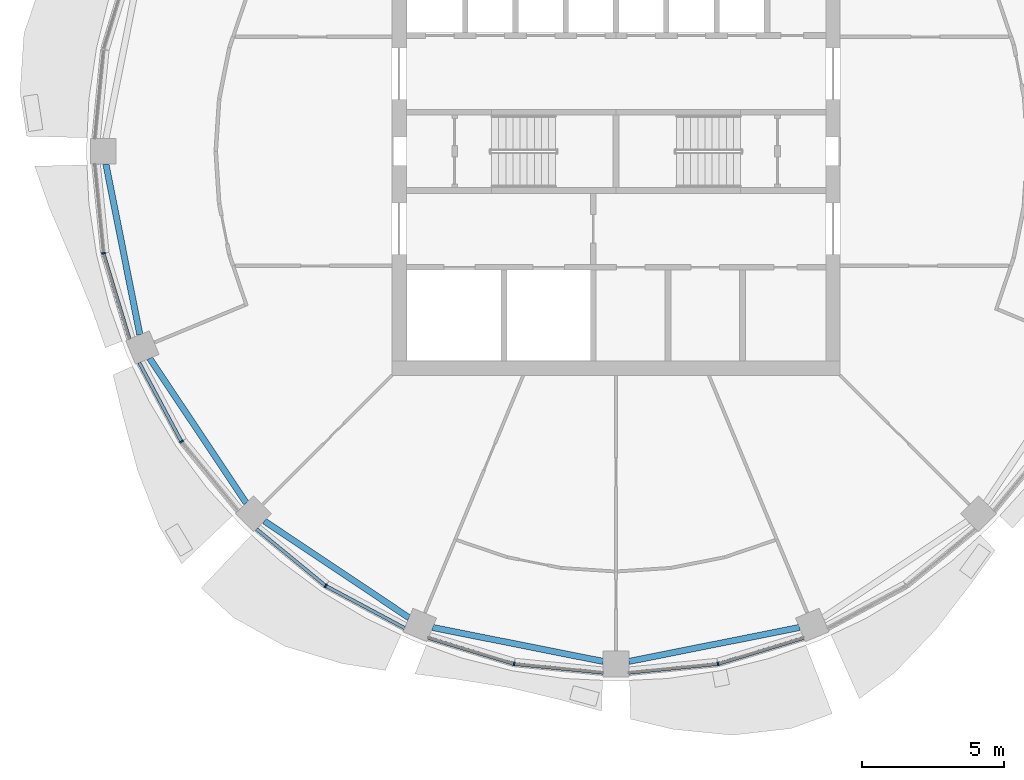
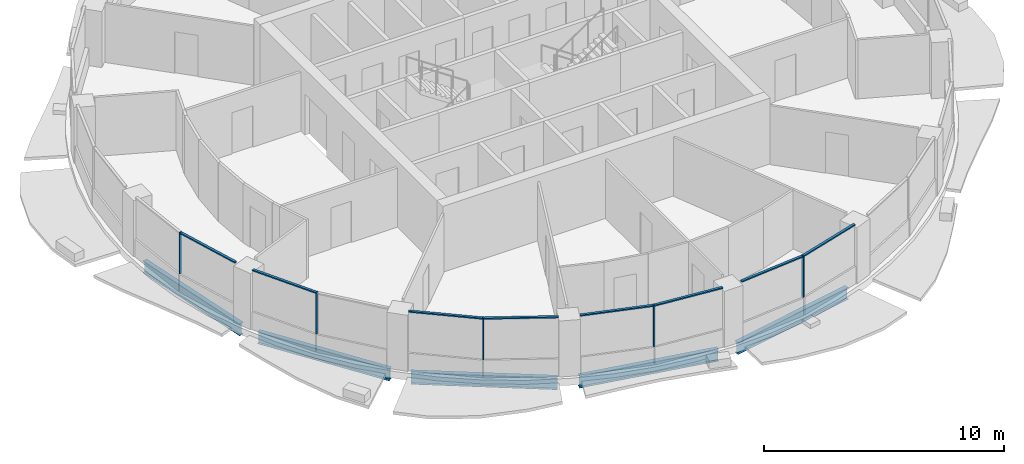
# One storey, part 2 of 15: 13 members, 5 beams, 5 elements without a shape of their own.
"""IFC4 building model written with IfcOpenShell, lengths in metres."""

import ifcopenshell
import ifcopenshell.guid

model = None  # the IFC model being written
_history = None  # IfcOwnerHistory: only IFC2X3 demands one
_inside = {}  # id of a spatial element -> (the spatial element, [elements in it])
_under = {}  # id of a project, library or spatial element -> (it, [spatial elements below it])
_declared = {}  # id of a project -> (the project, [libraries it declares])
_typed = {}  # id of a type object -> (the type object, [elements of that type])
_made_of = {}  # id of a material, layer set ... -> (it, [elements and type objects made of it])


def new_model(schema):
    """Start an empty IFC model of exactly this schema.

    Asked for "IFC4X3", IfcOpenShell would pick the latest addendum, in which some entities
    have other attributes; the version numbers below select the first issue.
    IFC2X3 requires an IfcOwnerHistory on every rooted entity: one is made here for all.
    """
    global model, _history
    if schema == "IFC4X3":
        model = ifcopenshell.file(schema_version=(4, 3, 0, 0))
    else:
        model = ifcopenshell.file(schema=schema)
    _inside.clear()
    _under.clear()
    _declared.clear()
    _typed.clear()
    _made_of.clear()
    _history = None
    if model.schema == "IFC2X3":
        org = make("IfcOrganization", Name="unknown")
        user = make(
            "IfcPersonAndOrganization",
            ThePerson=make("IfcPerson", FamilyName="unknown"),
            TheOrganization=org,
        )
        app = make(
            "IfcApplication",
            ApplicationDeveloper=org,
            Version="unknown",
            ApplicationFullName="unknown",
            ApplicationIdentifier="unknown",
        )
        _history = make(
            "IfcOwnerHistory",
            OwningUser=user,
            OwningApplication=app,
            ChangeAction="ADDED",
            CreationDate=0,
        )
    return model


def make(cls, **values):
    """One entity of the class cls with the attributes given. An attribute that is None is left unset."""
    return model.create_entity(
        cls, **{name: value for name, value in values.items() if value is not None}
    )


def rooted(cls, **values):
    """An entity with a GlobalId (a new one), such as an element, a storey or a relation."""
    return make(cls, GlobalId=ifcopenshell.guid.new(), OwnerHistory=_history, **values)


def si_unit(unit_type, name, prefix=None):
    """IfcSIUnit, for example si_unit("LENGTHUNIT", "METRE", prefix="MILLI")."""
    return make("IfcSIUnit", UnitType=unit_type, Prefix=prefix, Name=name)


def assignment(units):
    """IfcUnitAssignment: the units of a project."""
    return None if units is None else make("IfcUnitAssignment", Units=units)


def point(xyz):
    """IfcCartesianPoint."""
    return None if xyz is None else make("IfcCartesianPoint", Coordinates=xyz)


def direction(xyz):
    """IfcDirection."""
    return None if xyz is None else make("IfcDirection", DirectionRatios=xyz)


def frame(location, z_axis=None, x_axis=None):
    """IfcAxis2Placement3D, a coordinate frame: its origin and axes. An axis left out is left unset."""
    return make(
        "IfcAxis2Placement3D",
        Location=point(location),
        Axis=direction(z_axis),
        RefDirection=direction(x_axis),
    )


def frame_2d(location, x_axis=None):
    """IfcAxis2Placement2D, a coordinate frame in the plane: its origin and x axis."""
    return make(
        "IfcAxis2Placement2D", Location=point(location), RefDirection=direction(x_axis)
    )


def origin():
    """The frame at (0, 0, 0) with its axes left unset."""
    return frame((0.0, 0.0, 0.0))


def origin_2d():
    """The frame at (0, 0) in the plane with its x axis left unset."""
    return frame_2d((0.0, 0.0))


def place(relative_to, where):
    """IfcLocalPlacement: puts the frame where relative to a parent placement (None: the world)."""
    return make(
        "IfcLocalPlacement", PlacementRelTo=relative_to, RelativePlacement=where
    )


def context(
    kind, dimensions, precision=None, world=None, true_north=None, identifier=None
):
    """IfcGeometricRepresentationContext, for example the 3D "Model" context."""
    return make(
        "IfcGeometricRepresentationContext",
        ContextIdentifier=identifier,
        ContextType=kind,
        CoordinateSpaceDimension=dimensions,
        Precision=precision,
        WorldCoordinateSystem=world,
        TrueNorth=true_north,
    )


def subcontext(parent, identifier, kind, view, scale=None):
    """IfcGeometricRepresentationSubContext, for example "Body" below "Model"."""
    return make(
        "IfcGeometricRepresentationSubContext",
        ContextIdentifier=identifier,
        ContextType=kind,
        ParentContext=parent,
        TargetScale=scale,
        TargetView=view,
    )


def project(units=None, contexts=None):
    """IfcProject with its units and contexts."""
    return rooted(
        "IfcProject",
        Name="project",
        RepresentationContexts=contexts,
        UnitsInContext=assignment(units),
    )


def spatial(cls, under=None, at=None, **own):
    """A site, building, storey or space (cls), placed at a placement, below another one or the project."""
    s = rooted(cls, ObjectPlacement=at, **own)
    if under is not None:
        _under.setdefault(under.id(), (under, []))[1].append(s)
    return s


def profile(cls, at=None, kind="AREA", **sizes):
    """A parametric profile (cls). Its sizes go by their IFC names, for example OverallWidth=200.0."""
    return make(cls, ProfileType=kind, Position=at, **sizes)


def rectangle(**sizes):
    """IfcRectangleProfileDef."""
    return profile("IfcRectangleProfileDef", **sizes)


def i_section(**sizes):
    """IfcIShapeProfileDef."""
    return profile("IfcIShapeProfileDef", **sizes)


def extrude(swept, where, along, depth):
    """IfcExtrudedAreaSolid: the profile swept, set in the frame where, extruded along a direction by depth."""
    return make(
        "IfcExtrudedAreaSolid",
        SweptArea=swept,
        Position=where,
        ExtrudedDirection=direction(along),
        Depth=depth,
    )


def shape(context_of_items, identifier, shape_type, items):
    """IfcShapeRepresentation: the items that make up one representation, for example the "Body"."""
    return make(
        "IfcShapeRepresentation",
        ContextOfItems=context_of_items,
        RepresentationIdentifier=identifier,
        RepresentationType=shape_type,
        Items=items,
    )


def material(Name=None, Category=None):
    """IfcMaterial."""
    return make("IfcMaterial", Name=Name, Category=Category)


def material_profile(
    of_material, cross_section, Name=None, Category=None, Priority=None
):
    """IfcMaterialProfile: a cross section and its material."""
    return make(
        "IfcMaterialProfile",
        Name=Name,
        Material=of_material,
        Profile=cross_section,
        Priority=Priority,
        Category=Category,
    )


def profile_set(profiles, Name=None, composite=None):
    """IfcMaterialProfileSet."""
    return make(
        "IfcMaterialProfileSet",
        Name=Name,
        MaterialProfiles=profiles,
        CompositeProfile=composite,
    )


def made_of(thing, what):
    """Note that an element or type object is made of a material, layer set ...; save() writes the relation."""
    if what is not None:
        _made_of.setdefault(what.id(), (what, []))[1].append(thing)
    return thing


def type_object(cls, material=None, **own):
    """A type object (cls), such as IfcWallType, which elements share."""
    return made_of(rooted(cls, **own), material)


def element(
    cls,
    number,
    at=None,
    inside=None,
    cuts=None,
    type_object=None,
    material=None,
    context=None,
    identifier="Body",
    shape_type=None,
    held_by="IfcProductDefinitionShape",
    body=None,
    shapes=None,
    **own,
):
    """One element of the class cls, such as IfcWall. Its Tag is "e" and its number.

    at: its placement. inside: the storey or other place that contains it. cuts: it is an
    opening in that element (IfcRelVoidsElement). A single representation is given by context,
    identifier, shape_type and body (its items); several are given by shapes. held_by: the class
    of the entity that holds the representations. save() writes the other relations.
    """
    e = rooted(cls, Tag="e%d" % number, ObjectPlacement=at, **own)
    if body is not None:
        shapes = [shape(context, identifier, shape_type, body)]
    if shapes is not None:
        e.Representation = make(held_by, Representations=shapes)
    if inside is not None:
        _inside.setdefault(inside.id(), (inside, []))[1].append(e)
    if cuts is not None:
        rooted(
            "IfcRelVoidsElement", RelatingBuildingElement=cuts, RelatedOpeningElement=e
        )
    if type_object is not None:
        _typed.setdefault(type_object.id(), (type_object, []))[1].append(e)
    return made_of(e, material)


def aggregate(whole, parts):
    """IfcRelAggregates: a whole, such as a stair, and the parts it consists of."""
    return rooted("IfcRelAggregates", RelatingObject=whole, RelatedObjects=parts)


def save(model, path):
    """Write the relations noted so far, then the file.

    IfcRelAggregates (storeys below a building ...), IfcRelContainedInSpatialStructure (elements
    in a storey), IfcRelDefinesByType, IfcRelAssociatesMaterial and IfcRelDeclares: one each for
    every whole, place, type object, material and project.
    """
    for whole, parts in _under.values():
        aggregate(whole, parts)
    for where, things in _inside.values():
        rooted(
            "IfcRelContainedInSpatialStructure",
            RelatedElements=things,
            RelatingStructure=where,
        )
    for kind, things in _typed.values():
        rooted("IfcRelDefinesByType", RelatedObjects=things, RelatingType=kind)
    for what, things in _made_of.values():
        rooted("IfcRelAssociatesMaterial", RelatedObjects=things, RelatingMaterial=what)
    for by, libraries in _declared.values():
        rooted("IfcRelDeclares", RelatingContext=by, RelatedDefinitions=libraries)
    model.write(path)


model = new_model("IFC4")

# Units and contexts
model_context = context("Model", 3, precision=1e-05, world=origin(), true_north=direction((0.0, 1.0)))
body_context = subcontext(model_context, "Body", "Model", "MODEL_VIEW")
ifc_project = project(units=[si_unit("LENGTHUNIT", "METRE"), si_unit("AREAUNIT", "SQUARE_METRE"), si_unit("VOLUMEUNIT", "CUBIC_METRE"), si_unit("PLANEANGLEUNIT", "RADIAN"), si_unit("MASSUNIT", "GRAM", prefix="KILO")], contexts=[model_context])

# Site, building, storey
site_placement = place(None, origin())
site = spatial("IfcSite", under=ifc_project, at=site_placement, CompositionType="ELEMENT")
building_placement = place(site_placement, origin())
building = spatial("IfcBuilding", under=site, at=building_placement, Name="Polderwave Tower", CompositionType="ELEMENT")
storey_placement = place(building_placement, frame((0.0, 0.0, 180.949951171875)))
storey = spatial("IfcBuildingStorey", under=building, at=storey_placement, Name="L48", CompositionType="ELEMENT", Elevation=180.949951171875)

# Curtain wall, member
ifc_material_1 = material(Name="Aluminium 6063-T6 and glass", Category="aluminium")
curtain_wall_type = type_object("IfcCurtainWallType", Name="Office ribbon glazing wall", PredefinedType="NOTDEFINED", material=ifc_material_1)
curtain_wall_1_placement = place(storey_placement, origin())
curtain_wall_1 = element("IfcCurtainWall", 1, at=curtain_wall_1_placement, inside=storey, type_object=curtain_wall_type, Name="CW3 L48 08", PredefinedType="NOTDEFINED")
ifc_material_2 = material(Name="Aluminium 6063-T6", Category="aluminium")
ifc_material_profile_1 = material_profile(ifc_material_2, rectangle(XDim=0.139892578125, YDim=0.054931640625, at=origin_2d()), Name="AL 55x140")
ifc_profile_set_1 = profile_set([ifc_material_profile_1], Name="Aluminium 6063-T6")
member_type_1 = type_object("IfcMemberType", Name="Office ribbon glazing mullion 55x140", PredefinedType="MULLION", material=ifc_profile_set_1)
member_1_placement = place(storey_placement, frame((-18.01708984375, -3.583984375, 0.900146484375), z_axis=(0.0, 0.0, 1.0), x_axis=(0.980774723565, 0.195143387321, 0.0)))
member_1 = element("IfcMember", 2, at=member_1_placement, type_object=member_type_1, Name="CW3 mullion 1", PredefinedType="MULLION", context=body_context, shape_type="SweptSolid", body=[
    extrude(rectangle(XDim=0.139892578125, YDim=0.054931640625, at=origin_2d()), origin(), (0.0, 0.0, 1.0), 2.099853515625),
])

curtain_wall_2_placement = place(storey_placement, origin())
curtain_wall_2 = element("IfcCurtainWall", 3, at=curtain_wall_2_placement, inside=storey, type_object=curtain_wall_type, Name="CW3 L48 09", PredefinedType="NOTDEFINED")
member_2_placement = place(storey_placement, frame((-15.27392578125, -10.2060546875, 0.900146484375), z_axis=(0.0, 0.0, 1.0), x_axis=(0.83138621278, 0.555695028949, 0.0)))
member_2 = element("IfcMember", 4, at=member_2_placement, type_object=member_type_1, Name="CW3 mullion 1", PredefinedType="MULLION", context=body_context, shape_type="SweptSolid", body=[
    extrude(rectangle(XDim=0.139892578125, YDim=0.054931640625, at=origin_2d()), origin(), (0.0, 0.0, 1.0), 2.099853515625),
])

curtain_wall_3_placement = place(storey_placement, origin())
curtain_wall_3 = element("IfcCurtainWall", 5, at=curtain_wall_3_placement, inside=storey, type_object=curtain_wall_type, Name="CW3 L48 10", PredefinedType="NOTDEFINED")
member_3_placement = place(storey_placement, frame((-10.2060546875, -15.27392578125, 0.900146484375), z_axis=(0.0, 0.0, 1.0), x_axis=(0.555695028949, 0.83138621278, 0.0)))
member_3 = element("IfcMember", 6, at=member_3_placement, type_object=member_type_1, Name="CW3 mullion 1", PredefinedType="MULLION", context=body_context, shape_type="SweptSolid", body=[
    extrude(rectangle(XDim=0.139892578125, YDim=0.054931640625, at=origin_2d()), origin(), (0.0, 0.0, 1.0), 2.099853515625),
])

curtain_wall_4_placement = place(storey_placement, origin())
curtain_wall_4 = element("IfcCurtainWall", 7, at=curtain_wall_4_placement, inside=storey, type_object=curtain_wall_type, Name="CW3 L48 11", PredefinedType="NOTDEFINED")
member_4_placement = place(storey_placement, frame((-3.583984375, -18.01708984375, 0.900146484375), z_axis=(0.0, 0.0, 1.0), x_axis=(0.195143387321, 0.980774723565, 0.0)))
member_4 = element("IfcMember", 8, at=member_4_placement, type_object=member_type_1, Name="CW3 mullion 1", PredefinedType="MULLION", context=body_context, shape_type="SweptSolid", body=[
    extrude(rectangle(XDim=0.139892578125, YDim=0.054931640625, at=origin_2d()), origin(), (0.0, 0.0, 1.0), 2.099853515625),
])

curtain_wall_5_placement = place(storey_placement, origin())
curtain_wall_5 = element("IfcCurtainWall", 9, at=curtain_wall_5_placement, inside=storey, type_object=curtain_wall_type, Name="CW3 L48 12", PredefinedType="NOTDEFINED")
member_5_placement = place(storey_placement, frame((3.583984375, -18.01708984375, 0.900146484375), z_axis=(0.0, 0.0, 1.0), x_axis=(-0.195143387321, 0.980774723565, 0.0)))
member_5 = element("IfcMember", 10, at=member_5_placement, type_object=member_type_1, Name="CW3 mullion 1", PredefinedType="MULLION", context=body_context, shape_type="SweptSolid", body=[
    extrude(rectangle(XDim=0.139892578125, YDim=0.054931640625, at=origin_2d()), origin(), (0.0, 0.0, 1.0), 2.099853515625),
])

# Member
ifc_material_profile_2 = material_profile(ifc_material_2, rectangle(XDim=0.1201171875, YDim=0.06005859375, at=origin_2d()), Name="AL 60x120")
ifc_profile_set_2 = profile_set([ifc_material_profile_2], Name="Aluminium 6063-T6")
member_type_2 = type_object("IfcMemberType", Name="Office ribbon glazing transom 60x120", PredefinedType="USERDEFINED", material=ifc_profile_set_2)
member_6_placement = place(storey_placement, frame((-18.009033203125, -3.6103515625, 2.969970703125), z_axis=(0.290296140087, -0.956936858445, 0.0), x_axis=(0.956936858445, 0.290296140087, 0.0)))
member_6 = element("IfcMember", 11, at=member_6_placement, type_object=member_type_2, Name="CW3 transom 2", ObjectType="TRANSOM", PredefinedType="USERDEFINED", context=body_context, shape_type="SweptSolid", body=[
    extrude(rectangle(XDim=0.1201171875, YDim=0.06005859375, at=origin_2d()), origin(), (0.0, 0.0, 1.0), 3.120849609375),
])

aggregate(curtain_wall_1, [member_1, member_6])

member_7_placement = place(storey_placement, frame((-16.759033203125, -7.428955078125, 2.969970703125), z_axis=(0.471541933761, -0.881843639601, 0.0), x_axis=(0.881843639601, 0.471541933761, 0.0)))
member_7 = element("IfcMember", 12, at=member_7_placement, type_object=member_type_2, Name="CW3 transom 1", ObjectType="TRANSOM", PredefinedType="USERDEFINED", context=body_context, shape_type="SweptSolid", body=[
    extrude(rectangle(XDim=0.1201171875, YDim=0.06005859375, at=origin_2d()), origin(), (0.0, 0.0, 1.0), 3.12158203125),
])

aggregate(curtain_wall_2, [member_2, member_7])

member_8_placement = place(storey_placement, frame((-12.639892578125, -13.27587890625, 2.969970703125), z_axis=(0.772893374383, -0.634535918475, 0.0), x_axis=(0.634535918475, 0.772893374383, 0.0)))
member_8 = element("IfcMember", 13, at=member_8_placement, type_object=member_type_2, Name="CW3 transom 1", ObjectType="TRANSOM", PredefinedType="USERDEFINED", context=body_context, shape_type="SweptSolid", body=[
    extrude(rectangle(XDim=0.1201171875, YDim=0.06005859375, at=origin_2d()), origin(), (0.0, 0.0, 1.0), 3.12158203125),
])

member_9_placement = place(storey_placement, frame((-10.181640625, -15.287109375, 2.969970703125), z_axis=(0.881843639601, -0.471541933761, 0.0), x_axis=(0.471541933761, 0.881843639601, 0.0)))
member_9 = element("IfcMember", 14, at=member_9_placement, type_object=member_type_2, Name="CW3 transom 2", ObjectType="TRANSOM", PredefinedType="USERDEFINED", context=body_context, shape_type="SweptSolid", body=[
    extrude(rectangle(XDim=0.1201171875, YDim=0.06005859375, at=origin_2d()), origin(), (0.0, 0.0, 1.0), 3.12158203125),
])

aggregate(curtain_wall_3, [member_3, member_8, member_9])

member_10_placement = place(storey_placement, frame((-6.596923828125, -17.10302734375, 2.969970703125), z_axis=(0.956936858445, -0.290296140087, 0.0), x_axis=(0.290296140087, 0.956936858445, 0.0)))
member_10 = element("IfcMember", 15, at=member_10_placement, type_object=member_type_2, Name="CW3 transom 1", ObjectType="TRANSOM", PredefinedType="USERDEFINED", context=body_context, shape_type="SweptSolid", body=[
    extrude(rectangle(XDim=0.1201171875, YDim=0.06005859375, at=origin_2d()), origin(), (0.0, 0.0, 1.0), 3.120849609375),
])

member_11_placement = place(storey_placement, frame((-3.556640625, -18.019775390625, 2.969970703125), z_axis=(0.995179408841, -0.098071118168, 0.0), x_axis=(0.098071118168, 0.995179408841, 0.0)))
member_11 = element("IfcMember", 16, at=member_11_placement, type_object=member_type_2, Name="CW3 transom 2", ObjectType="TRANSOM", PredefinedType="USERDEFINED", context=body_context, shape_type="SweptSolid", body=[
    extrude(rectangle(XDim=0.1201171875, YDim=0.06005859375, at=origin_2d()), origin(), (0.0, 0.0, 1.0), 3.121826171875),
])

aggregate(curtain_wall_4, [member_4, member_10, member_11])

member_12_placement = place(storey_placement, frame((0.449951171875, -18.325927734375, 2.969970703125), z_axis=(0.995179408841, 0.098071118168, 0.0), x_axis=(-0.098071118168, 0.995179408841, 0.0)))
member_12 = element("IfcMember", 17, at=member_12_placement, type_object=member_type_2, Name="CW3 transom 1", ObjectType="TRANSOM", PredefinedType="USERDEFINED", context=body_context, shape_type="SweptSolid", body=[
    extrude(rectangle(XDim=0.1201171875, YDim=0.06005859375, at=origin_2d()), origin(), (0.0, 0.0, 1.0), 3.121826171875),
])

member_13_placement = place(storey_placement, frame((3.6103515625, -18.009033203125, 2.969970703125), z_axis=(0.956936858445, 0.290296140087, 0.0), x_axis=(-0.290296140087, 0.956936858445, 0.0)))
member_13 = element("IfcMember", 18, at=member_13_placement, type_object=member_type_2, Name="CW3 transom 2", ObjectType="TRANSOM", PredefinedType="USERDEFINED", context=body_context, shape_type="SweptSolid", body=[
    extrude(rectangle(XDim=0.1201171875, YDim=0.06005859375, at=origin_2d()), origin(), (0.0, 0.0, 1.0), 3.120849609375),
])

aggregate(curtain_wall_5, [member_5, member_12, member_13])

# Beams
ifc_material_3 = material(Name="Steel S355", Category="steel")
ifc_material_profile_3 = material_profile(ifc_material_3, i_section(OverallWidth=0.219970703125, OverallDepth=0.60009765625, WebThickness=0.011962890625, FlangeThickness=0.01904296875, at=origin_2d()), Name="IPE 600")
ifc_profile_set_3 = profile_set([ifc_material_profile_3], Name="Steel S355")
beam_type = type_object("IfcBeamType", Name="RING BEAM IPE 600", PredefinedType="BEAM", material=ifc_profile_set_3)
for number, where, z_axis, x_axis, name in (
    (19, (-17.930419921875, -0.449951171875, -0.64990234375), (0.195079268525, -0.980787479014, 0.0), (0.980787479014, 0.195079268525, 0.0), "ST-RB-L48-08"),
    (20, (-16.393310546875, -7.27734375, -0.64990234375), (0.555538553645, -0.831490778911, 0.0), (0.831490778911, 0.555538553645, 0.0), "ST-RB-L48-09"),
    (21, (-12.360595703125, -12.9970703125, -0.64990234375), (0.831490778911, -0.555538553645, 0.0), (0.555538553645, 0.831490778911, 0.0), "ST-RB-L48-10"),
    (22, (-6.446044921875, -16.73779296875, -0.64990234375), (0.980787479014, -0.195079268525, 0.0), (0.195079268525, 0.980787479014, 0.0), "ST-RB-L48-11"),
    (23, (0.449951171875, -17.930419921875, -0.64990234375), (0.980787479014, 0.195079268525, 0.0), (-0.195079268525, 0.980787479014, 0.0), "ST-RB-L48-12"),
):
    element("IfcBeam", number, at=place(storey_placement, frame(where, z_axis=z_axis, x_axis=x_axis)), inside=storey, type_object=beam_type, Name=name, PredefinedType="BEAM", context=body_context, shape_type="SweptSolid", body=[
        extrude(i_section(OverallWidth=0.219970703125, OverallDepth=0.60009765625, WebThickness=0.011962890625, FlangeThickness=0.01904296875, at=origin_2d()), origin(), (0.0, 0.0, 1.0), 6.113525390625),
    ])

save(model, "model.ifc")
